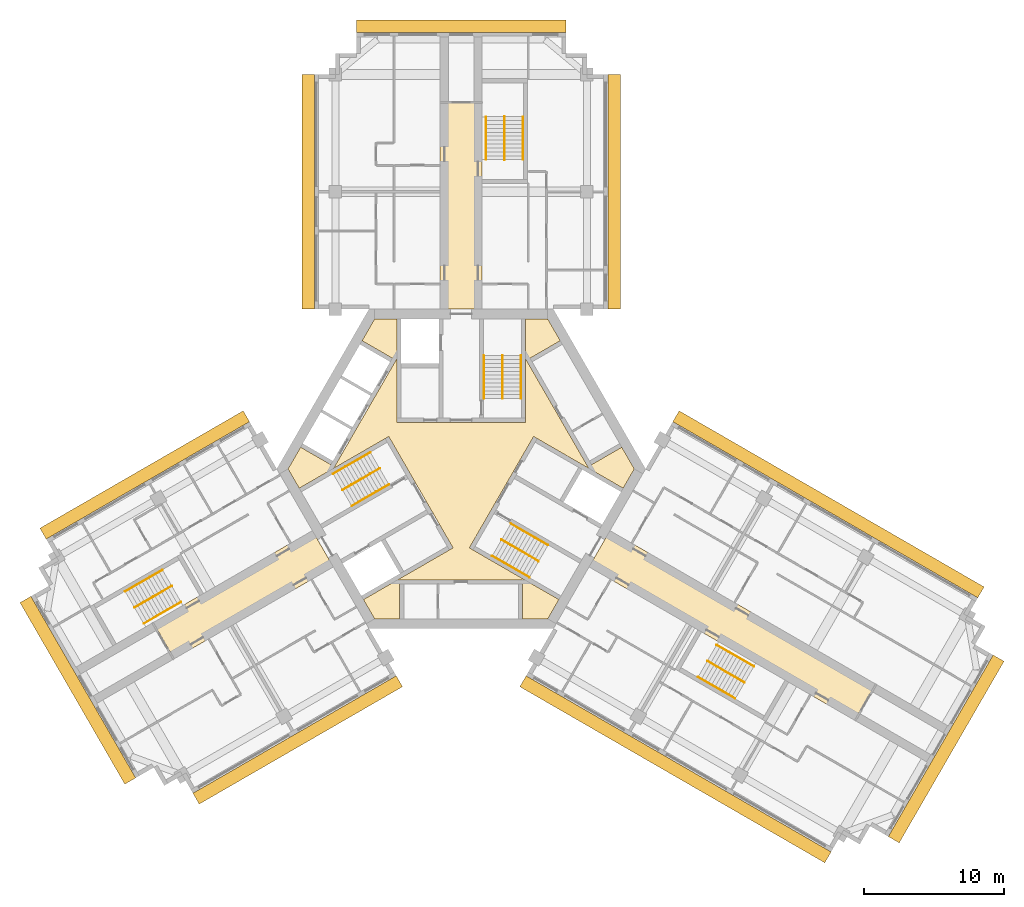
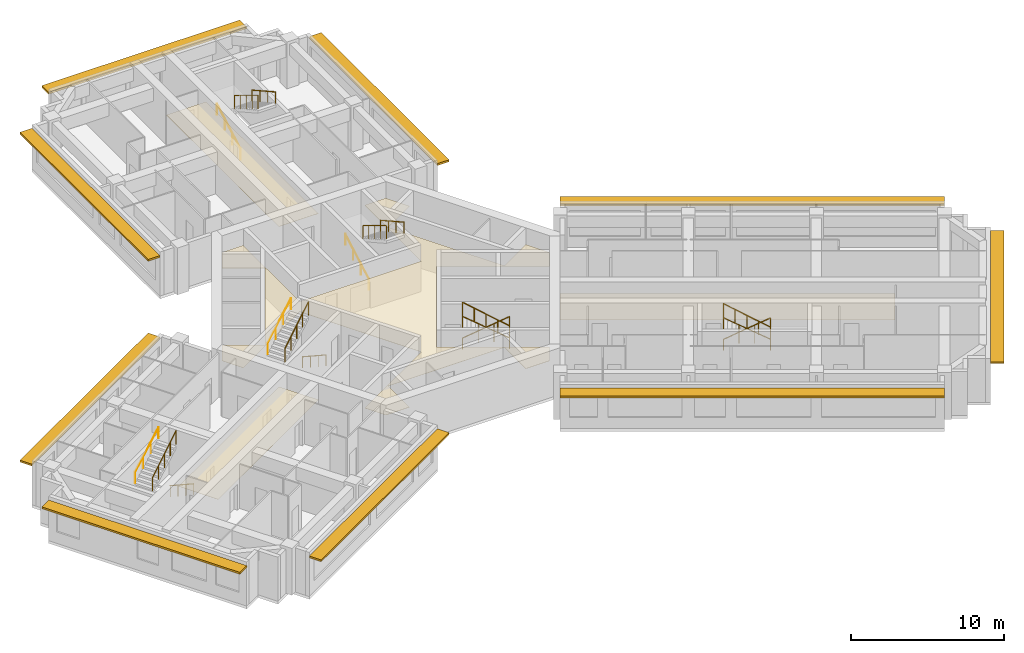
# One storey, part 10 of 10: 18 railings, 4 coverings, 3 shading devices.
"""IFC4 building model written with IfcOpenShell, lengths in metres."""

from ifc_helpers import new_model, si_unit, direction, frame, origin, origin_2d, place, context, subcontext, project, spatial, polyline, rectangle, circle, outline, extrude, material, layer, layer_set, type_object, element, save


model = new_model("IFC4")

# Units and contexts
model_context = context("Model", 3, precision=1e-05, world=origin(), true_north=direction((0.0, 1.0)))
body_context = subcontext(model_context, "Body", "Model", "MODEL_VIEW")
ifc_project = project(units=[si_unit("LENGTHUNIT", "METRE"), si_unit("AREAUNIT", "SQUARE_METRE"), si_unit("VOLUMEUNIT", "CUBIC_METRE"), si_unit("PLANEANGLEUNIT", "RADIAN"), si_unit("MASSUNIT", "GRAM", prefix="KILO")], contexts=[model_context])

# Site, building, storey
site_placement = place(None, origin())
site = spatial("IfcSite", under=ifc_project, at=site_placement, CompositionType="ELEMENT")
building_placement = place(site_placement, origin())
building = spatial("IfcBuilding", under=site, at=building_placement, Name="Impinga Residences", CompositionType="ELEMENT")
storey_placement = place(building_placement, frame((0.0, 0.0, 222.25)))
storey = spatial("IfcBuildingStorey", under=building, at=storey_placement, Name="L55", CompositionType="ELEMENT", Elevation=222.25)

# Coverings
ifc_material_1 = material(Name="Plasterboard 15 mm on steel hangers", Category="steel")
ifc_layer_1 = layer(ifc_material_1, 0.014892578125)
ifc_layer_set_1 = layer_set([ifc_layer_1], Name="Plasterboard 15 mm on steel hangers")
covering_type_1 = type_object("IfcCoveringType", Name="CL1 corridor ceiling, 15 mm plasterboard on hangers", PredefinedType="CEILING", material=ifc_layer_set_1)
covering_1_placement = place(storey_placement, frame((0.0, 0.0, 2.39990234375)))
element("IfcCovering", 1, at=covering_1_placement, inside=storey, type_object=covering_type_1, Name="Corridor ceiling CL1 L55-N00", PredefinedType="CEILING", context=body_context, shape_type="SweptSolid", body=[
    extrude(outline(polyline([(-1.5, 11.431640625), (1.5, 11.431640625), (1.5, 26.181640625), (-1.5, 26.181640625), (-1.5, 11.431640625)])), origin(), (0.0, 0.0, 1.0), 0.01513671875),
])
covering_2_placement = place(storey_placement, frame((0.0, 0.0, 2.39990234375)))
element("IfcCovering", 2, at=covering_2_placement, inside=storey, type_object=covering_type_1, Name="Corridor ceiling CL1 L55-W00", PredefinedType="CEILING", context=body_context, shape_type="SweptSolid", body=[
    extrude(outline(polyline([(-9.14990234375, -7.014892578125), (-10.64990234375, -4.416748046875), (-22.038330078125, -10.99169921875), (-20.538330078125, -13.58984375), (-9.14990234375, -7.014892578125)])), origin(), (0.0, 0.0, 1.0), 0.01513671875),
])
covering_3_placement = place(storey_placement, frame((0.0, 0.0, 2.39990234375)))
element("IfcCovering", 3, at=covering_3_placement, inside=storey, type_object=covering_type_1, Name="Corridor ceiling CL1 L55-E00", PredefinedType="CEILING", context=body_context, shape_type="SweptSolid", body=[
    extrude(outline(polyline([(10.64990234375, -4.416748046875), (9.14990234375, -7.014892578125), (28.1591796875, -17.98974609375), (29.6591796875, -15.391845703125), (10.64990234375, -4.416748046875)])), origin(), (0.0, 0.0, 1.0), 0.01513671875),
])
ifc_material_2 = material(Name="Mineral fibre tiles 20 mm on exposed grid", Category="mineral fibre")
ifc_layer_2 = layer(ifc_material_2, 0.02001953125)
ifc_layer_set_2 = layer_set([ifc_layer_2], Name="CL2 lift lobby ceiling, 20 mm mineral fibre tiles")
covering_type_2 = type_object("IfcCoveringType", Name="CL2 lift lobby ceiling, 20 mm mineral fibre tiles", PredefinedType="CEILING", material=ifc_layer_set_2)
covering_4_placement = place(storey_placement, frame((0.0, 0.0, 2.39990234375)))
element("IfcCovering", 4, at=covering_4_placement, inside=storey, type_object=covering_type_2, Name="Lift lobby ceiling CL2 L55-C01", PredefinedType="CEILING", context=body_context, shape_type="SweptSolid", body=[
    extrude(outline(polyline([(12.3916015625, 0.0), (11.59375, -1.382080078125), (5.183837890625, 2.318603515625), (0.583984375, -5.648681640625), (6.993896484375, -9.349365234375), (6.19580078125, -10.7314453125), (4.39990234375, -10.7314453125), (4.39990234375, -7.931640625), (-4.39990234375, -7.931640625), (-4.39990234375, -10.7314453125), (-6.19580078125, -10.7314453125), (-6.993896484375, -9.349365234375), (-0.583984375, -5.648681640625), (-5.183837890625, 2.318603515625), (-11.59375, -1.382080078125), (-12.3916015625, 0.0), (-11.493896484375, 1.55517578125), (-9.06884765625, 0.1552734375), (-4.6689453125, 7.7763671875), (-7.09375, 9.17626953125), (-6.19580078125, 10.7314453125), (-4.60009765625, 10.7314453125), (-4.60009765625, 3.330078125), (4.60009765625, 3.330078125), (4.60009765625, 10.7314453125), (6.19580078125, 10.7314453125), (7.09375, 9.17626953125), (4.6689453125, 7.7763671875), (9.06884765625, 0.1552734375), (11.493896484375, 1.55517578125), (12.3916015625, 0.0)])), origin(), (0.0, 0.0, 1.0), 0.02001953125),
])

# Railings
ifc_material_3 = material(Name="Steel guard, powder coated", Category="steel")
railing_type_1 = type_object("IfcRailingType", Name="GR1 stair guard 1100", PredefinedType="GUARDRAIL", material=ifc_material_3)
railing_1_placement = place(storey_placement, frame((2.949951171875, 8.110107421875, 1.875)))
element("IfcRailing", 5, at=railing_1_placement, inside=storey, type_object=railing_type_1, Name="Stair guard GR1 ST1 L55", PredefinedType="GUARDRAIL", context=body_context, shape_type="SweptSolid", body=[
    extrude(circle(Radius=0.02392578125, at=origin_2d()), frame((0.0, 0.0, 1.076171875), z_axis=(0.0, -0.854177636135, 0.519981313056), x_axis=(1.0, 0.0, 0.0)), (0.0, 0.0, 1.0), 3.60595703125),
    extrude(circle(Radius=0.02099609375, at=origin_2d()), origin(), (0.0, 0.0, 1.0), 1.052001953125),
    extrude(circle(Radius=0.02099609375, at=origin_2d()), frame((0.0, -0.77001953125, 0.46875)), (0.0, 0.0, 1.0), 1.052001953125),
    extrude(circle(Radius=0.02099609375, at=origin_2d()), frame((0.0, -1.5400390625, 0.9375)), (0.0, 0.0, 1.0), 1.052001953125),
    extrude(circle(Radius=0.02099609375, at=origin_2d()), frame((0.0, -2.31005859375, 1.40625)), (0.0, 0.0, 1.0), 1.052001953125),
    extrude(circle(Radius=0.02099609375, at=origin_2d()), frame((0.0, -3.080078125, 1.875)), (0.0, 0.0, 1.0), 1.052001953125),
])
railing_2_placement = place(storey_placement, frame((-8.49853515625, -1.500244140625, 1.875)))
element("IfcRailing", 6, at=railing_2_placement, inside=storey, type_object=railing_type_1, Name="Stair guard GR1 ST2 L55", PredefinedType="GUARDRAIL", context=body_context, shape_type="SweptSolid", body=[
    extrude(circle(Radius=0.02392578125, at=origin_2d()), frame((0.0, 0.0, 1.076171875), z_axis=(0.739746383972, 0.427084037168, 0.519975492303), x_axis=(-0.499992328818, 0.866029832698, 0.0)), (0.0, 0.0, 1.0), 3.60595703125),
    extrude(circle(Radius=0.02099609375, at=origin_2d()), origin(), (0.0, 0.0, 1.0), 1.052001953125),
    extrude(circle(Radius=0.02099609375, at=origin_2d()), frame((0.6669921875, 0.385009765625, 0.46875)), (0.0, 0.0, 1.0), 1.052001953125),
    extrude(circle(Radius=0.02099609375, at=origin_2d()), frame((1.333740234375, 0.77001953125, 0.9375)), (0.0, 0.0, 1.0), 1.052001953125),
    extrude(circle(Radius=0.02099609375, at=origin_2d()), frame((2.00048828125, 1.155029296875, 1.40625)), (0.0, 0.0, 1.0), 1.052001953125),
    extrude(circle(Radius=0.02099609375, at=origin_2d()), frame((2.66748046875, 1.5400390625, 1.875)), (0.0, 0.0, 1.0), 1.052001953125),
])
railing_3_placement = place(storey_placement, frame((5.548583984375, -6.60986328125, 1.875)))
element("IfcRailing", 7, at=railing_3_placement, inside=storey, type_object=railing_type_1, Name="Stair guard GR1 ST3 L55", PredefinedType="GUARDRAIL", context=body_context, shape_type="SweptSolid", body=[
    extrude(circle(Radius=0.02392578125, at=origin_2d()), frame((0.0, 0.0, 1.076171875), z_axis=(-0.739746383972, 0.427084037168, 0.519975492303), x_axis=(-0.499992328818, -0.866029832698, 0.0)), (0.0, 0.0, 1.0), 3.60595703125),
    extrude(circle(Radius=0.02099609375, at=origin_2d()), origin(), (0.0, 0.0, 1.0), 1.052001953125),
    extrude(circle(Radius=0.02099609375, at=origin_2d()), frame((-0.6669921875, 0.385009765625, 0.46875)), (0.0, 0.0, 1.0), 1.052001953125),
    extrude(circle(Radius=0.02099609375, at=origin_2d()), frame((-1.333740234375, 0.77001953125, 0.9375)), (0.0, 0.0, 1.0), 1.052001953125),
    extrude(circle(Radius=0.02099609375, at=origin_2d()), frame((-2.00048828125, 1.155029296875, 1.40625)), (0.0, 0.0, 1.0), 1.052001953125),
    extrude(circle(Radius=0.02099609375, at=origin_2d()), frame((-2.66748046875, 1.5400390625, 1.875)), (0.0, 0.0, 1.0), 1.052001953125),
])
railing_4_placement = place(storey_placement, frame((3.10009765625, 25.21142578125, 1.875)))
element("IfcRailing", 8, at=railing_4_placement, inside=storey, type_object=railing_type_1, Name="Stair guard GR1 WS1 L55", PredefinedType="GUARDRAIL", context=body_context, shape_type="SweptSolid", body=[
    extrude(circle(Radius=0.02392578125, at=origin_2d()), frame((0.0, 0.0, 1.076171875), z_axis=(0.0, -0.854159328187, 0.520011386482), x_axis=(1.0, 0.0, 0.0)), (0.0, 0.0, 1.0), 3.605712890625),
    extrude(circle(Radius=0.02099609375, at=origin_2d()), origin(), (0.0, 0.0, 1.0), 1.052001953125),
    extrude(circle(Radius=0.02099609375, at=origin_2d()), frame((0.0, -0.77001953125, 0.46875)), (0.0, 0.0, 1.0), 1.052001953125),
    extrude(circle(Radius=0.02099609375, at=origin_2d()), frame((0.0, -1.5400390625, 0.9375)), (0.0, 0.0, 1.0), 1.052001953125),
    extrude(circle(Radius=0.02099609375, at=origin_2d()), frame((0.0, -2.309814453125, 1.40625)), (0.0, 0.0, 1.0), 1.052001953125),
    extrude(circle(Radius=0.02099609375, at=origin_2d()), frame((0.0, -3.079833984375, 1.875)), (0.0, 0.0, 1.0), 1.052001953125),
])
railing_5_placement = place(storey_placement, frame((-23.3837890625, -9.921142578125, 1.875)))
element("IfcRailing", 9, at=railing_5_placement, inside=storey, type_object=railing_type_1, Name="Stair guard GR1 WS2 L55", PredefinedType="GUARDRAIL", context=body_context, shape_type="SweptSolid", body=[
    extrude(circle(Radius=0.02392578125, at=origin_2d()), frame((0.0, 0.0, 1.076171875), z_axis=(0.739715726454, 0.427105428144, 0.52000153585), x_axis=(-0.500026652407, 0.866010015463, 0.0)), (0.0, 0.0, 1.0), 3.605712890625),
    extrude(circle(Radius=0.02099609375, at=origin_2d()), origin(), (0.0, 0.0, 1.0), 1.052001953125),
    extrude(circle(Radius=0.02099609375, at=origin_2d()), frame((0.666748046875, 0.385009765625, 0.46875)), (0.0, 0.0, 1.0), 1.052001953125),
    extrude(circle(Radius=0.02099609375, at=origin_2d()), frame((1.33349609375, 0.77001953125, 0.9375)), (0.0, 0.0, 1.0), 1.052001953125),
    extrude(circle(Radius=0.02099609375, at=origin_2d()), frame((2.00048828125, 1.155029296875, 1.40625)), (0.0, 0.0, 1.0), 1.052001953125),
    extrude(circle(Radius=0.02099609375, at=origin_2d()), frame((2.667236328125, 1.5400390625, 1.875)), (0.0, 0.0, 1.0), 1.052001953125),
])
railing_6_placement = place(storey_placement, frame((20.283935546875, -15.29052734375, 1.875)))
element("IfcRailing", 10, at=railing_6_placement, inside=storey, type_object=railing_type_1, Name="Stair guard GR1 WS3 L55", PredefinedType="GUARDRAIL", context=body_context, shape_type="SweptSolid", body=[
    extrude(circle(Radius=0.02392578125, at=origin_2d()), frame((0.0, 0.0, 1.076171875), z_axis=(-0.739746383972, 0.427084037168, 0.519975492303), x_axis=(-0.499992328818, -0.866029832698, 0.0)), (0.0, 0.0, 1.0), 3.60595703125),
    extrude(circle(Radius=0.02099609375, at=origin_2d()), origin(), (0.0, 0.0, 1.0), 1.052001953125),
    extrude(circle(Radius=0.02099609375, at=origin_2d()), frame((-0.6669921875, 0.385009765625, 0.46875)), (0.0, 0.0, 1.0), 1.052001953125),
    extrude(circle(Radius=0.02099609375, at=origin_2d()), frame((-1.333740234375, 0.77001953125, 0.9375)), (0.0, 0.0, 1.0), 1.052001953125),
    extrude(circle(Radius=0.02099609375, at=origin_2d()), frame((-2.00048828125, 1.155029296875, 1.40625)), (0.0, 0.0, 1.0), 1.052001953125),
    extrude(circle(Radius=0.02099609375, at=origin_2d()), frame((-2.66748046875, 1.5400390625, 1.875)), (0.0, 0.0, 1.0), 1.052001953125),
])
ifc_material_4 = material(Name="Steel handrail tube 42 mm, powder coated", Category="steel")
railing_type_2 = type_object("IfcRailingType", Name="HR1 stair handrail, 42 mm steel tube, 900 above the pitch line", PredefinedType="HANDRAIL", material=ifc_material_4)
railing_7_placement = place(storey_placement, frame((1.62109375, 5.030029296875, 0.15625)))
element("IfcRailing", 11, at=railing_7_placement, inside=storey, type_object=railing_type_2, Name="Stair handrail HR1 ST1 L55", PredefinedType="HANDRAIL", context=body_context, shape_type="SweptSolid", body=[
    extrude(circle(Radius=0.02099609375, at=origin_2d()), frame((0.0, 0.0, 0.87890625), z_axis=(0.0, 0.873241540666, 0.487287606713), x_axis=(-1.0, 0.0, 0.0)), (0.0, 0.0, 1.0), 3.527099609375),
    extrude(circle(Radius=0.012451171875, at=origin_2d()), origin(), (0.0, 0.0, 1.0), 0.85791015625),
    extrude(circle(Radius=0.012451171875, at=origin_2d()), frame((0.0, 1.026611328125, 0.572998046875)), (0.0, 0.0, 1.0), 0.85791015625),
    extrude(circle(Radius=0.012451171875, at=origin_2d()), frame((0.0, 2.053466796875, 1.145751953125)), (0.0, 0.0, 1.0), 0.85791015625),
    extrude(circle(Radius=0.012451171875, at=origin_2d()), frame((0.0, 3.080078125, 1.71875)), (0.0, 0.0, 1.0), 0.85791015625),
])
railing_8_placement = place(storey_placement, frame((4.279052734375, 8.110107421875, 2.03125)))
element("IfcRailing", 12, at=railing_8_placement, inside=storey, type_object=railing_type_2, Name="Stair handrail HR1 ST1 L55", PredefinedType="HANDRAIL", context=body_context, shape_type="SweptSolid", body=[
    extrude(circle(Radius=0.02099609375, at=origin_2d()), frame((0.0, 0.0, 0.87890625), z_axis=(0.0, -0.873241540666, 0.487287606713), x_axis=(1.0, 0.0, 0.0)), (0.0, 0.0, 1.0), 3.527099609375),
    extrude(circle(Radius=0.012451171875, at=origin_2d()), origin(), (0.0, 0.0, 1.0), 0.85791015625),
    extrude(circle(Radius=0.012451171875, at=origin_2d()), frame((0.0, -1.026611328125, 0.572998046875)), (0.0, 0.0, 1.0), 0.85791015625),
    extrude(circle(Radius=0.012451171875, at=origin_2d()), frame((0.0, -2.053466796875, 1.145751953125)), (0.0, 0.0, 1.0), 0.85791015625),
    extrude(circle(Radius=0.012451171875, at=origin_2d()), frame((0.0, -3.080078125, 1.71875)), (0.0, 0.0, 1.0), 0.85791015625),
])
railing_9_placement = place(storey_placement, frame((-5.16650390625, -1.111083984375, 0.15625)))
element("IfcRailing", 13, at=railing_9_placement, inside=storey, type_object=railing_type_2, Name="Stair handrail HR1 ST2 L55", PredefinedType="HANDRAIL", context=body_context, shape_type="SweptSolid", body=[
    extrude(circle(Radius=0.02099609375, at=origin_2d()), frame((0.0, 0.0, 0.87890625), z_axis=(-0.756255980417, -0.436615662133, 0.487281905742), x_axis=(0.499992328818, -0.866029832698, 0.0)), (0.0, 0.0, 1.0), 3.527099609375),
    extrude(circle(Radius=0.012451171875, at=origin_2d()), origin(), (0.0, 0.0, 1.0), 0.85791015625),
    extrude(circle(Radius=0.012451171875, at=origin_2d()), frame((-0.88916015625, -0.513427734375, 0.572998046875)), (0.0, 0.0, 1.0), 0.85791015625),
    extrude(circle(Radius=0.012451171875, at=origin_2d()), frame((-1.7783203125, -1.026611328125, 1.145751953125)), (0.0, 0.0, 1.0), 0.85791015625),
    extrude(circle(Radius=0.012451171875, at=origin_2d()), frame((-2.66748046875, -1.5400390625, 1.71875)), (0.0, 0.0, 1.0), 0.85791015625),
])
railing_10_placement = place(storey_placement, frame((-9.1630859375, -0.349365234375, 2.03125)))
element("IfcRailing", 14, at=railing_10_placement, inside=storey, type_object=railing_type_2, Name="Stair handrail HR1 ST2 L55", PredefinedType="HANDRAIL", context=body_context, shape_type="SweptSolid", body=[
    extrude(circle(Radius=0.02099609375, at=origin_2d()), frame((0.0, 0.0, 0.87890625), z_axis=(0.756255980417, 0.436615662133, 0.487281905742), x_axis=(-0.499992328818, 0.866029832698, 0.0)), (0.0, 0.0, 1.0), 3.527099609375),
    extrude(circle(Radius=0.012451171875, at=origin_2d()), origin(), (0.0, 0.0, 1.0), 0.85791015625),
    extrude(circle(Radius=0.012451171875, at=origin_2d()), frame((0.88916015625, 0.513427734375, 0.572998046875)), (0.0, 0.0, 1.0), 0.85791015625),
    extrude(circle(Radius=0.012451171875, at=origin_2d()), frame((1.7783203125, 1.026611328125, 1.145751953125)), (0.0, 0.0, 1.0), 0.85791015625),
    extrude(circle(Radius=0.012451171875, at=origin_2d()), frame((2.66748046875, 1.5400390625, 1.71875)), (0.0, 0.0, 1.0), 0.85791015625),
])
railing_11_placement = place(storey_placement, frame((3.545654296875, -3.9189453125, 0.15625)))
element("IfcRailing", 15, at=railing_11_placement, inside=storey, type_object=railing_type_2, Name="Stair handrail HR1 ST3 L55", PredefinedType="HANDRAIL", context=body_context, shape_type="SweptSolid", body=[
    extrude(circle(Radius=0.02099609375, at=origin_2d()), frame((0.0, 0.0, 0.87890625), z_axis=(0.756249203677, -0.436582492228, 0.487322141317), x_axis=(0.499967199496, 0.866044340336, 0.0)), (0.0, 0.0, 1.0), 3.52685546875),
    extrude(circle(Radius=0.012451171875, at=origin_2d()), origin(), (0.0, 0.0, 1.0), 0.85791015625),
    extrude(circle(Radius=0.012451171875, at=origin_2d()), frame((0.88916015625, -0.51318359375, 0.572998046875)), (0.0, 0.0, 1.0), 0.85791015625),
    extrude(circle(Radius=0.012451171875, at=origin_2d()), frame((1.778076171875, -1.026611328125, 1.145751953125)), (0.0, 0.0, 1.0), 0.85791015625),
    extrude(circle(Radius=0.012451171875, at=origin_2d()), frame((2.667236328125, -1.539794921875, 1.71875)), (0.0, 0.0, 1.0), 0.85791015625),
])
railing_12_placement = place(storey_placement, frame((4.884033203125, -7.7607421875, 2.03125)))
element("IfcRailing", 16, at=railing_12_placement, inside=storey, type_object=railing_type_2, Name="Stair handrail HR1 ST3 L55", PredefinedType="HANDRAIL", context=body_context, shape_type="SweptSolid", body=[
    extrude(circle(Radius=0.02099609375, at=origin_2d()), frame((0.0, 0.0, 0.87890625), z_axis=(-0.756255980417, 0.436615662133, 0.487281905742), x_axis=(-0.499992328818, -0.866029832698, 0.0)), (0.0, 0.0, 1.0), 3.527099609375),
    extrude(circle(Radius=0.012451171875, at=origin_2d()), origin(), (0.0, 0.0, 1.0), 0.85791015625),
    extrude(circle(Radius=0.012451171875, at=origin_2d()), frame((-0.88916015625, 0.513427734375, 0.572998046875)), (0.0, 0.0, 1.0), 0.85791015625),
    extrude(circle(Radius=0.012451171875, at=origin_2d()), frame((-1.7783203125, 1.026611328125, 1.145751953125)), (0.0, 0.0, 1.0), 0.85791015625),
    extrude(circle(Radius=0.012451171875, at=origin_2d()), frame((-2.66748046875, 1.5400390625, 1.71875)), (0.0, 0.0, 1.0), 0.85791015625),
])
railing_13_placement = place(storey_placement, frame((1.77099609375, 22.131591796875, 0.15625)))
element("IfcRailing", 17, at=railing_13_placement, inside=storey, type_object=railing_type_2, Name="Stair handrail HR1 WS1 L55", PredefinedType="HANDRAIL", context=body_context, shape_type="SweptSolid", body=[
    extrude(circle(Radius=0.02099609375, at=origin_2d()), frame((0.0, 0.0, 0.87890625), z_axis=(0.0, 0.873225103656, 0.487317061414), x_axis=(-1.0, 0.0, 0.0)), (0.0, 0.0, 1.0), 3.52685546875),
    extrude(circle(Radius=0.012451171875, at=origin_2d()), origin(), (0.0, 0.0, 1.0), 0.85791015625),
    extrude(circle(Radius=0.012451171875, at=origin_2d()), frame((0.0, 1.026611328125, 0.572998046875)), (0.0, 0.0, 1.0), 0.85791015625),
    extrude(circle(Radius=0.012451171875, at=origin_2d()), frame((0.0, 2.05322265625, 1.145751953125)), (0.0, 0.0, 1.0), 0.85791015625),
    extrude(circle(Radius=0.012451171875, at=origin_2d()), frame((0.0, 3.079833984375, 1.71875)), (0.0, 0.0, 1.0), 0.85791015625),
])
railing_14_placement = place(storey_placement, frame((4.428955078125, 25.21142578125, 2.03125)))
element("IfcRailing", 18, at=railing_14_placement, inside=storey, type_object=railing_type_2, Name="Stair handrail HR1 WS1 L55", PredefinedType="HANDRAIL", context=body_context, shape_type="SweptSolid", body=[
    extrude(circle(Radius=0.02099609375, at=origin_2d()), frame((0.0, 0.0, 0.87890625), z_axis=(0.0, -0.873225103656, 0.487317061414), x_axis=(1.0, 0.0, 0.0)), (0.0, 0.0, 1.0), 3.52685546875),
    extrude(circle(Radius=0.012451171875, at=origin_2d()), origin(), (0.0, 0.0, 1.0), 0.85791015625),
    extrude(circle(Radius=0.012451171875, at=origin_2d()), frame((0.0, -1.026611328125, 0.572998046875)), (0.0, 0.0, 1.0), 0.85791015625),
    extrude(circle(Radius=0.012451171875, at=origin_2d()), frame((0.0, -2.05322265625, 1.145751953125)), (0.0, 0.0, 1.0), 0.85791015625),
    extrude(circle(Radius=0.012451171875, at=origin_2d()), frame((0.0, -3.079833984375, 1.71875)), (0.0, 0.0, 1.0), 0.85791015625),
])
railing_15_placement = place(storey_placement, frame((-20.052001953125, -9.531982421875, 0.15625)))
element("IfcRailing", 19, at=railing_15_placement, inside=storey, type_object=railing_type_2, Name="Stair handrail HR1 WS2 L55", PredefinedType="HANDRAIL", context=body_context, shape_type="SweptSolid", body=[
    extrude(circle(Radius=0.02099609375, at=origin_2d()), frame((0.0, 0.0, 0.87890625), z_axis=(-0.756226348243, -0.436638517594, 0.487307413422), x_axis=(0.500026652407, -0.866010015463, 0.0)), (0.0, 0.0, 1.0), 3.527099609375),
    extrude(circle(Radius=0.012451171875, at=origin_2d()), origin(), (0.0, 0.0, 1.0), 0.85791015625),
    extrude(circle(Radius=0.012451171875, at=origin_2d()), frame((-0.88916015625, -0.513427734375, 0.572998046875)), (0.0, 0.0, 1.0), 0.85791015625),
    extrude(circle(Radius=0.012451171875, at=origin_2d()), frame((-1.778076171875, -1.026611328125, 1.145751953125)), (0.0, 0.0, 1.0), 0.85791015625),
    extrude(circle(Radius=0.012451171875, at=origin_2d()), frame((-2.667236328125, -1.5400390625, 1.71875)), (0.0, 0.0, 1.0), 0.85791015625),
])
railing_16_placement = place(storey_placement, frame((-24.04833984375, -8.77001953125, 2.03125)))
element("IfcRailing", 20, at=railing_16_placement, inside=storey, type_object=railing_type_2, Name="Stair handrail HR1 WS2 L55", PredefinedType="HANDRAIL", context=body_context, shape_type="SweptSolid", body=[
    extrude(circle(Radius=0.02099609375, at=origin_2d()), frame((0.0, 0.0, 0.87890625), z_axis=(0.756278834354, 0.436559638319, 0.487296631324), x_axis=(-0.499932877268, 0.866064153644, 0.0)), (0.0, 0.0, 1.0), 3.527099609375),
    extrude(circle(Radius=0.012451171875, at=origin_2d()), origin(), (0.0, 0.0, 1.0), 0.85791015625),
    extrude(circle(Radius=0.012451171875, at=origin_2d()), frame((0.88916015625, 0.51318359375, 0.572998046875)), (0.0, 0.0, 1.0), 0.85791015625),
    extrude(circle(Radius=0.012451171875, at=origin_2d()), frame((1.7783203125, 1.026611328125, 1.145751953125)), (0.0, 0.0, 1.0), 0.85791015625),
    extrude(circle(Radius=0.012451171875, at=origin_2d()), frame((2.66748046875, 1.539794921875, 1.71875)), (0.0, 0.0, 1.0), 0.85791015625),
])
railing_17_placement = place(storey_placement, frame((18.281005859375, -12.599609375, 0.15625)))
element("IfcRailing", 21, at=railing_17_placement, inside=storey, type_object=railing_type_2, Name="Stair handrail HR1 WS3 L55", PredefinedType="HANDRAIL", context=body_context, shape_type="SweptSolid", body=[
    extrude(circle(Radius=0.02099609375, at=origin_2d()), frame((0.0, 0.0, 0.87890625), z_axis=(0.756249203677, -0.436582492228, 0.487322141317), x_axis=(0.499967199496, 0.866044340336, 0.0)), (0.0, 0.0, 1.0), 3.52685546875),
    extrude(circle(Radius=0.012451171875, at=origin_2d()), origin(), (0.0, 0.0, 1.0), 0.85791015625),
    extrude(circle(Radius=0.012451171875, at=origin_2d()), frame((0.88916015625, -0.51318359375, 0.572998046875)), (0.0, 0.0, 1.0), 0.85791015625),
    extrude(circle(Radius=0.012451171875, at=origin_2d()), frame((1.778076171875, -1.026611328125, 1.145751953125)), (0.0, 0.0, 1.0), 0.85791015625),
    extrude(circle(Radius=0.012451171875, at=origin_2d()), frame((2.667236328125, -1.539794921875, 1.71875)), (0.0, 0.0, 1.0), 0.85791015625),
])
railing_18_placement = place(storey_placement, frame((19.619384765625, -16.44140625, 2.03125)))
element("IfcRailing", 22, at=railing_18_placement, inside=storey, type_object=railing_type_2, Name="Stair handrail HR1 WS3 L55", PredefinedType="HANDRAIL", context=body_context, shape_type="SweptSolid", body=[
    extrude(circle(Radius=0.02099609375, at=origin_2d()), frame((0.0, 0.0, 0.87890625), z_axis=(-0.756255980417, 0.436615662133, 0.487281905742), x_axis=(-0.499992328818, -0.866029832698, 0.0)), (0.0, 0.0, 1.0), 3.527099609375),
    extrude(circle(Radius=0.012451171875, at=origin_2d()), origin(), (0.0, 0.0, 1.0), 0.85791015625),
    extrude(circle(Radius=0.012451171875, at=origin_2d()), frame((-0.88916015625, 0.513427734375, 0.572998046875)), (0.0, 0.0, 1.0), 0.85791015625),
    extrude(circle(Radius=0.012451171875, at=origin_2d()), frame((-1.7783203125, 1.026611328125, 1.145751953125)), (0.0, 0.0, 1.0), 0.85791015625),
    extrude(circle(Radius=0.012451171875, at=origin_2d()), frame((-2.66748046875, 1.5400390625, 1.71875)), (0.0, 0.0, 1.0), 0.85791015625),
])

# Shading devices
ifc_material_5 = material(Name="Terracotta sunshade blades on aluminium brackets", Category="masonry")
ifc_layer_3 = layer(ifc_material_5, 0.14990234375)
ifc_layer_set_3 = layer_set([ifc_layer_3], Name="SS1 SUNSHADE terracotta sunshade band 900")
shading_device_type = type_object("IfcShadingDeviceType", Name="SS1 SUNSHADE terracotta sunshade band 900", PredefinedType="USERDEFINED", material=ifc_layer_set_3)
shading_device_1_placement = place(storey_placement, frame((-10.949951171875, 19.83154296875, 3.10009765625), z_axis=(0.0, 0.0, 1.0), x_axis=(0.0, 1.0, 0.0)))
element("IfcShadingDevice", 23, at=shading_device_1_placement, inside=storey, type_object=shading_device_type, Name="SUNSHADE band L55 NORTH WING", ObjectType="SUNSHADE", PredefinedType="USERDEFINED", context=body_context, shape_type="SweptSolid", body=[
    extrude(rectangle(XDim=16.800048828125, YDim=0.89990234375, at=origin_2d()), origin(), (0.0, 0.0, 1.0), 0.14990234375),
    extrude(rectangle(XDim=15.0, YDim=0.89990234375, at=origin_2d()), frame((11.85009765625, -10.949951171875, 0.0), z_axis=(0.0, 0.0, 1.0), x_axis=(0.0, -1.0, 0.0)), (0.0, 0.0, 1.0), 0.14990234375),
    extrude(rectangle(XDim=16.800048828125, YDim=0.89990234375, at=origin_2d()), frame((0.0, -21.89990234375, 0.0), z_axis=(0.0, 0.0, 1.0), x_axis=(-1.0, 0.0, 0.0)), (0.0, 0.0, 1.0), 0.14990234375),
])
shading_device_2_placement = place(storey_placement, frame((-11.69970703125, -19.398681640625, 3.10009765625), z_axis=(0.0, 0.0, 1.0), x_axis=(-0.866025403784, -0.5, 0.0)))
element("IfcShadingDevice", 24, at=shading_device_2_placement, inside=storey, type_object=shading_device_type, Name="SUNSHADE band L55 WEST WING", ObjectType="SUNSHADE", PredefinedType="USERDEFINED", context=body_context, shape_type="SweptSolid", body=[
    extrude(rectangle(XDim=16.800048828125, YDim=0.89990234375, at=origin_2d()), origin(), (0.0, 0.0, 1.0), 0.14990234375),
    extrude(rectangle(XDim=15.0, YDim=0.89990234375, at=origin_2d()), frame((11.849853515625, -10.949951171875, 0.0), z_axis=(0.0, 0.0, 1.0), x_axis=(0.0, -1.0, 0.0)), (0.0, 0.0, 1.0), 0.14990234375),
    extrude(rectangle(XDim=16.800048828125, YDim=0.89990234375, at=origin_2d()), frame((0.0, -21.89990234375, 0.0), z_axis=(0.0, 0.0, 1.0), x_axis=(-1.0, 0.0, 0.0)), (0.0, 0.0, 1.0), 0.14990234375),
])
shading_device_3_placement = place(storey_placement, frame((34.711669921875, -20.040771484375, 3.10009765625), z_axis=(0.0, 0.0, 1.0), x_axis=(-0.5, -0.866025403784, 0.0)))
element("IfcShadingDevice", 25, at=shading_device_3_placement, inside=storey, type_object=shading_device_type, Name="SUNSHADE band L55 EAST WING", ObjectType="SUNSHADE", PredefinedType="USERDEFINED", context=body_context, shape_type="SweptSolid", body=[
    extrude(rectangle(XDim=15.0, YDim=0.89990234375, at=origin_2d()), origin(), (0.0, 0.0, 1.0), 0.14990234375),
    extrude(rectangle(XDim=25.199951171875, YDim=0.89990234375, at=origin_2d()), frame((10.949951171875, -16.050048828125, 0.0), z_axis=(0.0, 0.0, 1.0), x_axis=(0.0, -1.0, 0.0)), (0.0, 0.0, 1.0), 0.14990234375),
    extrude(rectangle(XDim=25.199951171875, YDim=0.89990234375, at=origin_2d()), frame((-10.949951171875, -16.050048828125, 0.0), z_axis=(0.0, 0.0, 1.0), x_axis=(0.0, 1.0, 0.0)), (0.0, 0.0, 1.0), 0.14990234375),
])

save(model, "model.ifc")
